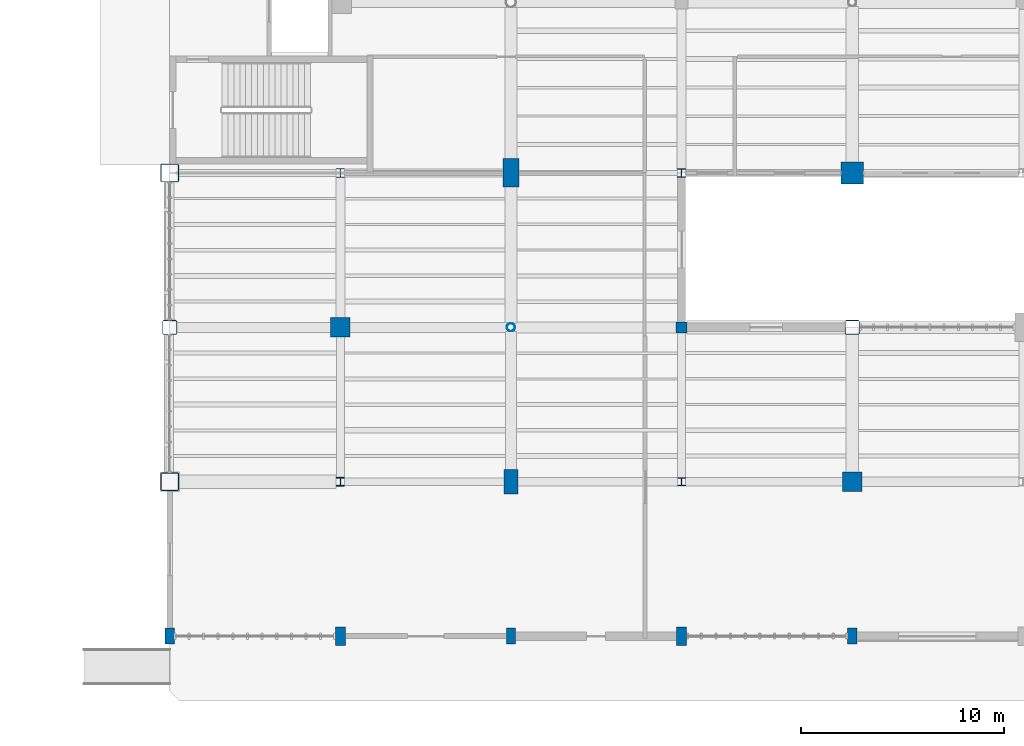
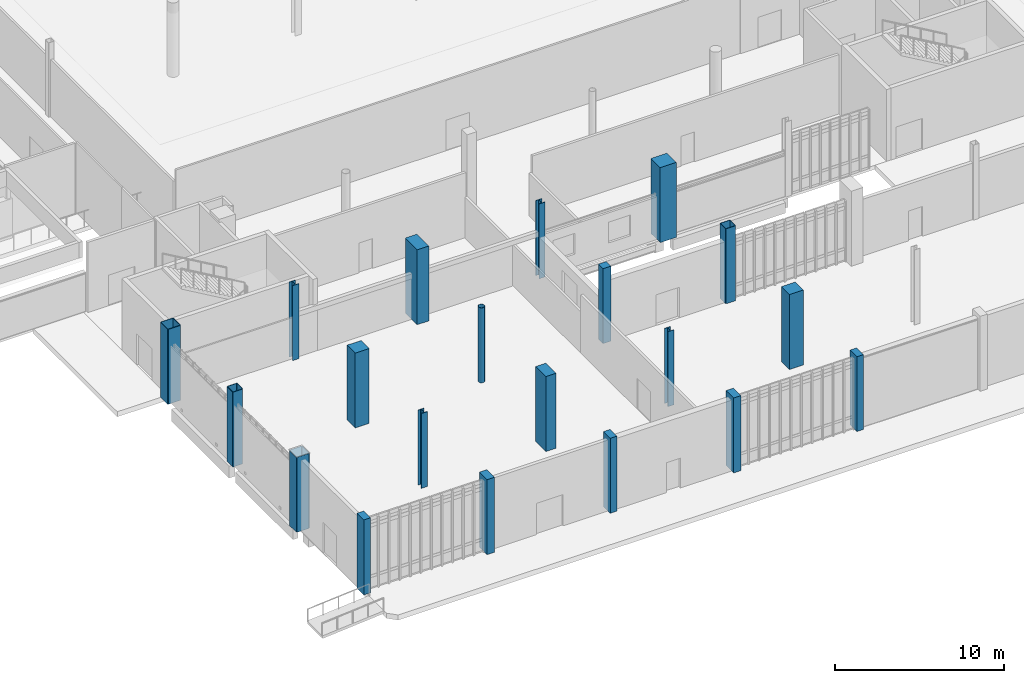
# One storey, part 1 of 111: 20 columns.
"""IFC4 building model written with IfcOpenShell, lengths in metres."""

from ifc_helpers import new_model, si_unit, direction, frame, origin, origin_2d, place, context, subcontext, project, spatial, rectangle, hollow_rectangle, hollow_circle, i_section, extrude, material, material_profile, profile_set, type_object, element, save


model = new_model("IFC4")

# Units and contexts
model_context = context("Model", 3, precision=1e-05, world=origin(), true_north=direction((0.0, 1.0)))
body_context = subcontext(model_context, "Body", "Model", "MODEL_VIEW")
ifc_project = project(units=[si_unit("LENGTHUNIT", "METRE"), si_unit("AREAUNIT", "SQUARE_METRE"), si_unit("VOLUMEUNIT", "CUBIC_METRE"), si_unit("PLANEANGLEUNIT", "RADIAN"), si_unit("MASSUNIT", "GRAM", prefix="KILO")], contexts=[model_context])

# Site, building, storey
site_placement = place(None, origin())
site = spatial("IfcSite", under=ifc_project, at=site_placement, CompositionType="ELEMENT")
building_placement = place(site_placement, origin())
building = spatial("IfcBuilding", under=site, at=building_placement, Name="Larkvane Passage Sports Hall", CompositionType="ELEMENT")
storey_placement = place(building_placement, origin())
storey = spatial("IfcBuildingStorey", under=building, at=storey_placement, Name="L00", CompositionType="ELEMENT", Elevation=0.0)

# Columns
ifc_material_1 = material(Name="Concrete C50/60", Category="concrete")
ifc_material_profile_1 = material_profile(ifc_material_1, rectangle(XDim=1.10009765625, YDim=1.10009765625, at=origin_2d()), Name="RC-COL-1100x1100")
ifc_profile_set_1 = profile_set([ifc_material_profile_1], Name="Concrete C50/60")
column_type_1 = type_object("IfcColumnType", Name="COL-RC-1100", PredefinedType="COLUMN", material=ifc_profile_set_1)
column_1_placement = place(storey_placement, frame((68.39990234375, 22.800048828125, 0.0), z_axis=(0.0, 0.0, 1.0), x_axis=(1.0, 0.0, 0.0)))
element("IfcColumn", 1, at=column_1_placement, inside=storey, type_object=column_type_1, Name="Column 10/D L00", PredefinedType="COLUMN", context=body_context, shape_type="SweptSolid", body=[
    extrude(rectangle(XDim=1.10009765625, YDim=1.10009765625, at=origin_2d()), origin(), (0.0, 0.0, 1.0), 5.39990234375),
])
ifc_material_2 = material(Name="Concrete C40/50", Category="concrete")
ifc_material_profile_2 = material_profile(ifc_material_2, rectangle(XDim=0.550048828125, YDim=0.550048828125, at=origin_2d()), Name="RC-COL-550x550")
ifc_profile_set_2 = profile_set([ifc_material_profile_2], Name="Concrete C40/50")
column_type_2 = type_object("IfcColumnType", Name="COL-RC-550", PredefinedType="COLUMN", material=ifc_profile_set_2)
column_2_placement = place(storey_placement, frame((60.0, 15.199951171875, 0.0), z_axis=(0.0, 0.0, 1.0), x_axis=(1.0, 0.0, 0.0)))
element("IfcColumn", 2, at=column_2_placement, inside=storey, type_object=column_type_2, Name="Column 9/C L00", PredefinedType="COLUMN", context=body_context, shape_type="SweptSolid", body=[
    extrude(rectangle(XDim=0.550048828125, YDim=0.550048828125, at=origin_2d()), origin(), (0.0, 0.0, 1.0), 5.39990234375),
])
ifc_material_profile_3 = material_profile(ifc_material_1, rectangle(XDim=0.699951171875, YDim=1.199951171875, at=origin_2d()), Name="RC-COL-700x1200")
ifc_profile_set_3 = profile_set([ifc_material_profile_3], Name="Concrete C50/60")
column_type_3 = type_object("IfcColumnType", Name="COL-RC-700x1200", PredefinedType="COLUMN", material=ifc_profile_set_3)
column_3_placement = place(storey_placement, frame((51.60009765625, 7.60009765625, 0.0), z_axis=(0.0, 0.0, 1.0), x_axis=(1.0, 0.0, 0.0)))
element("IfcColumn", 3, at=column_3_placement, inside=storey, type_object=column_type_3, Name="Column 8/B L00", PredefinedType="COLUMN", context=body_context, shape_type="SweptSolid", body=[
    extrude(rectangle(XDim=0.699951171875, YDim=1.199951171875, at=origin_2d()), origin(), (0.0, 0.0, 1.0), 5.39990234375),
])
ifc_material_profile_4 = material_profile(ifc_material_1, rectangle(XDim=0.800048828125, YDim=1.39990234375, at=origin_2d()), Name="RC-COL-800x1400")
ifc_profile_set_4 = profile_set([ifc_material_profile_4], Name="Concrete C50/60")
column_type_4 = type_object("IfcColumnType", Name="COL-RC-800x1400", PredefinedType="COLUMN", material=ifc_profile_set_4)
column_4_placement = place(storey_placement, frame((51.60009765625, 22.800048828125, 0.0), z_axis=(0.0, 0.0, 1.0), x_axis=(1.0, 0.0, 0.0)))
element("IfcColumn", 4, at=column_4_placement, inside=storey, type_object=column_type_4, Name="Column 8/D L00", PredefinedType="COLUMN", context=body_context, shape_type="SweptSolid", body=[
    extrude(rectangle(XDim=0.800048828125, YDim=1.39990234375, at=origin_2d()), origin(), (0.0, 0.0, 1.0), 5.39990234375),
])
ifc_material_profile_5 = material_profile(ifc_material_1, rectangle(XDim=0.949951171875, YDim=0.949951171875, at=origin_2d()), Name="RC-COL-950x950")
ifc_profile_set_5 = profile_set([ifc_material_profile_5], Name="Concrete C50/60")
column_type_5 = type_object("IfcColumnType", Name="COL-RC-950", PredefinedType="COLUMN", material=ifc_profile_set_5)
for number, where, z_axis, x_axis, name in (
    (5, (43.199951171875, 15.199951171875, 0.0), (0.0, 0.0, 1.0), (1.0, 0.0, 0.0), "Column 7/C L00"),
    (6, (68.39990234375, 7.60009765625, 0.0), (0.0, 0.0, 1.0), (1.0, 0.0, 0.0), "Column 10/B L00"),
):
    element("IfcColumn", number, at=place(storey_placement, frame(where, z_axis=z_axis, x_axis=x_axis)), inside=storey, type_object=column_type_5, Name=name, PredefinedType="COLUMN", context=body_context, shape_type="SweptSolid", body=[
        extrude(rectangle(XDim=0.949951171875, YDim=0.949951171875, at=origin_2d()), origin(), (0.0, 0.0, 1.0), 5.39990234375),
    ])
ifc_material_3 = material(Name="Steel S460N", Category="steel")
ifc_material_profile_6 = material_profile(ifc_material_3, hollow_rectangle(XDim=0.699951171875, YDim=0.699951171875, WallThickness=0.028076171875, InnerFilletRadius=0.028076171875, OuterFilletRadius=0.055908203125, at=origin_2d()), Name="BOX-700x700x28")
ifc_profile_set_6 = profile_set([ifc_material_profile_6], Name="Steel S460N")
column_type_6 = type_object("IfcColumnType", Name="COL-STL-BOX700", PredefinedType="COLUMN", material=ifc_profile_set_6)
for number, where, z_axis, x_axis, name in (
    (7, (34.800048828125, 15.199951171875, 0.0), (0.0, 0.0, 1.0), (1.0, 0.0, 0.0), "Column 6/C L00"),
    (8, (68.39990234375, 15.199951171875, 0.0), (0.0, 0.0, 1.0), (1.0, 0.0, 0.0), "Column 10/C L00"),
):
    element("IfcColumn", number, at=place(storey_placement, frame(where, z_axis=z_axis, x_axis=x_axis)), inside=storey, type_object=column_type_6, Name=name, PredefinedType="COLUMN", context=body_context, shape_type="SweptSolid", body=[
        extrude(hollow_rectangle(XDim=0.699951171875, YDim=0.699951171875, WallThickness=0.028076171875, InnerFilletRadius=0.028076171875, OuterFilletRadius=0.055908203125, at=origin_2d()), origin(), (0.0, 0.0, 1.0), 5.39990234375),
    ])
ifc_material_profile_7 = material_profile(ifc_material_3, hollow_rectangle(XDim=0.89990234375, YDim=0.89990234375, WallThickness=0.035888671875, InnerFilletRadius=0.035888671875, OuterFilletRadius=0.072021484375, at=origin_2d()), Name="BOX-900x900x36")
ifc_profile_set_7 = profile_set([ifc_material_profile_7], Name="Steel S460N")
column_type_7 = type_object("IfcColumnType", Name="COL-STL-BOX900", PredefinedType="COLUMN", material=ifc_profile_set_7)
for number, where, z_axis, x_axis, name in (
    (9, (34.800048828125, 7.60009765625, 0.0), (0.0, 0.0, 1.0), (1.0, 0.0, 0.0), "Column 6/B L00"),
    (10, (34.800048828125, 22.800048828125, 0.0), (0.0, 0.0, 1.0), (1.0, 0.0, 0.0), "Column 6/D L00"),
):
    element("IfcColumn", number, at=place(storey_placement, frame(where, z_axis=z_axis, x_axis=x_axis)), inside=storey, type_object=column_type_7, Name=name, PredefinedType="COLUMN", context=body_context, shape_type="SweptSolid", body=[
        extrude(hollow_rectangle(XDim=0.89990234375, YDim=0.89990234375, WallThickness=0.035888671875, InnerFilletRadius=0.035888671875, OuterFilletRadius=0.072021484375, at=origin_2d()), origin(), (0.0, 0.0, 1.0), 5.39990234375),
    ])
ifc_material_4 = material(Name="Steel S355JR", Category="steel")
ifc_material_profile_8 = material_profile(ifc_material_4, hollow_circle(Radius=0.203125, WallThickness=0.01611328125, at=origin_2d()), Name="CHS-406.4x16.0")
ifc_profile_set_8 = profile_set([ifc_material_profile_8], Name="Steel S355JR")
column_type_8 = type_object("IfcColumnType", Name="COL-STL-CHS406", PredefinedType="COLUMN", material=ifc_profile_set_8)
column_5_placement = place(storey_placement, frame((51.60009765625, 15.199951171875, 0.0), z_axis=(0.0, 0.0, 1.0), x_axis=(1.0, 0.0, 0.0)))
element("IfcColumn", 11, at=column_5_placement, inside=storey, type_object=column_type_8, Name="Column 8/C L00", PredefinedType="COLUMN", context=body_context, shape_type="SweptSolid", body=[
    extrude(hollow_circle(Radius=0.203125, WallThickness=0.01611328125, at=origin_2d()), origin(), (0.0, 0.0, 1.0), 5.39990234375),
])
ifc_material_profile_9 = material_profile(ifc_material_3, i_section(OverallWidth=0.405029296875, OverallDepth=0.4140625, WebThickness=0.01806640625, FlangeThickness=0.028076171875, FilletRadius=0.02197265625, at=origin_2d()), Name="H-414x405x18x28")
ifc_profile_set_9 = profile_set([ifc_material_profile_9], Name="Steel S460N")
column_type_9 = type_object("IfcColumnType", Name="COL-STL-H414", PredefinedType="COLUMN", material=ifc_profile_set_9)
column_6_placement = place(storey_placement, frame((60.0, 7.60009765625, 0.0), z_axis=(0.0, 0.0, 1.0), x_axis=(1.0, 0.0, 0.0)))
element("IfcColumn", 12, at=column_6_placement, inside=storey, type_object=column_type_9, Name="Column 9/B L00", PredefinedType="COLUMN", context=body_context, shape_type="SweptSolid", body=[
    extrude(i_section(OverallWidth=0.405029296875, OverallDepth=0.4140625, WebThickness=0.01806640625, FlangeThickness=0.028076171875, FilletRadius=0.02197265625, at=origin_2d()), origin(), (0.0, 0.0, 1.0), 5.39990234375),
])
ifc_material_profile_10 = material_profile(ifc_material_3, i_section(OverallWidth=0.406982421875, OverallDepth=0.427978515625, WebThickness=0.02001953125, FlangeThickness=0.034912109375, FilletRadius=0.02197265625, at=origin_2d()), Name="H-428x407x20x35")
ifc_profile_set_10 = profile_set([ifc_material_profile_10], Name="Steel S460N")
column_type_10 = type_object("IfcColumnType", Name="COL-STL-H428", PredefinedType="COLUMN", material=ifc_profile_set_10)
for number, where, z_axis, x_axis, name in (
    (13, (43.199951171875, 7.60009765625, 0.0), (0.0, 0.0, 1.0), (1.0, 0.0, 0.0), "Column 7/B L00"),
    (14, (60.0, 22.800048828125, 0.0), (0.0, 0.0, 1.0), (1.0, 0.0, 0.0), "Column 9/D L00"),
):
    element("IfcColumn", number, at=place(storey_placement, frame(where, z_axis=z_axis, x_axis=x_axis)), inside=storey, type_object=column_type_10, Name=name, PredefinedType="COLUMN", context=body_context, shape_type="SweptSolid", body=[
        extrude(i_section(OverallWidth=0.406982421875, OverallDepth=0.427978515625, WebThickness=0.02001953125, FlangeThickness=0.034912109375, FilletRadius=0.02197265625, at=origin_2d()), origin(), (0.0, 0.0, 1.0), 5.39990234375),
    ])
ifc_material_profile_11 = material_profile(ifc_material_3, i_section(OverallWidth=0.4169921875, OverallDepth=0.4580078125, WebThickness=0.030029296875, FlangeThickness=0.0400390625, FilletRadius=0.02197265625, at=origin_2d()), Name="H-458x417x30x40")
ifc_profile_set_11 = profile_set([ifc_material_profile_11], Name="Steel S460N")
column_type_11 = type_object("IfcColumnType", Name="COL-STL-H458", PredefinedType="COLUMN", material=ifc_profile_set_11)
column_7_placement = place(storey_placement, frame((43.199951171875, 22.800048828125, 0.0), z_axis=(0.0, 0.0, 1.0), x_axis=(1.0, 0.0, 0.0)))
element("IfcColumn", 15, at=column_7_placement, inside=storey, type_object=column_type_11, Name="Column 7/D L00", PredefinedType="COLUMN", context=body_context, shape_type="SweptSolid", body=[
    extrude(i_section(OverallWidth=0.4169921875, OverallDepth=0.4580078125, WebThickness=0.030029296875, FlangeThickness=0.0400390625, FilletRadius=0.02197265625, at=origin_2d()), origin(), (0.0, 0.0, 1.0), 5.39990234375),
])
ifc_material_profile_12 = material_profile(ifc_material_2, rectangle(XDim=0.449951171875, YDim=0.800048828125, at=origin_2d()), Name="RC-PIL-450x800")
ifc_profile_set_12 = profile_set([ifc_material_profile_12], Name="Concrete C40/50")
column_type_12 = type_object("IfcColumnType", Name="PIL-RC-450x800", PredefinedType="PILASTER", material=ifc_profile_set_12)
for number, where, z_axis, x_axis, name in (
    (16, (34.800048828125, 0.0, 0.0), (0.0, 0.0, 1.0), (1.0, 0.0, 0.0), "Arcade pilaster 6/A L00"),
    (17, (51.60009765625, 0.0, 0.0), (0.0, 0.0, 1.0), (1.0, 0.0, 0.0), "Arcade pilaster 8/A L00"),
    (18, (68.39990234375, 0.0, 0.0), (0.0, 0.0, 1.0), (1.0, 0.0, 0.0), "Arcade pilaster 10/A L00"),
):
    element("IfcColumn", number, at=place(storey_placement, frame(where, z_axis=z_axis, x_axis=x_axis)), inside=storey, type_object=column_type_12, Name=name, PredefinedType="PILASTER", context=body_context, shape_type="SweptSolid", body=[
        extrude(rectangle(XDim=0.449951171875, YDim=0.800048828125, at=origin_2d()), origin(), (0.0, 0.0, 1.0), 5.39990234375),
    ])
ifc_material_profile_13 = material_profile(ifc_material_2, rectangle(XDim=0.5, YDim=0.89990234375, at=origin_2d()), Name="RC-PIL-500x900")
ifc_profile_set_13 = profile_set([ifc_material_profile_13], Name="Concrete C40/50")
column_type_13 = type_object("IfcColumnType", Name="PIL-RC-500x900", PredefinedType="PILASTER", material=ifc_profile_set_13)
for number, where, z_axis, x_axis, name in (
    (19, (43.199951171875, 0.0, 0.0), (0.0, 0.0, 1.0), (1.0, 0.0, 0.0), "Arcade pilaster 7/A L00"),
    (20, (60.0, 0.0, 0.0), (0.0, 0.0, 1.0), (1.0, 0.0, 0.0), "Arcade pilaster 9/A L00"),
):
    element("IfcColumn", number, at=place(storey_placement, frame(where, z_axis=z_axis, x_axis=x_axis)), inside=storey, type_object=column_type_13, Name=name, PredefinedType="PILASTER", context=body_context, shape_type="SweptSolid", body=[
        extrude(rectangle(XDim=0.5, YDim=0.89990234375, at=origin_2d()), origin(), (0.0, 0.0, 1.0), 5.39990234375),
    ])

save(model, "model.ifc")
